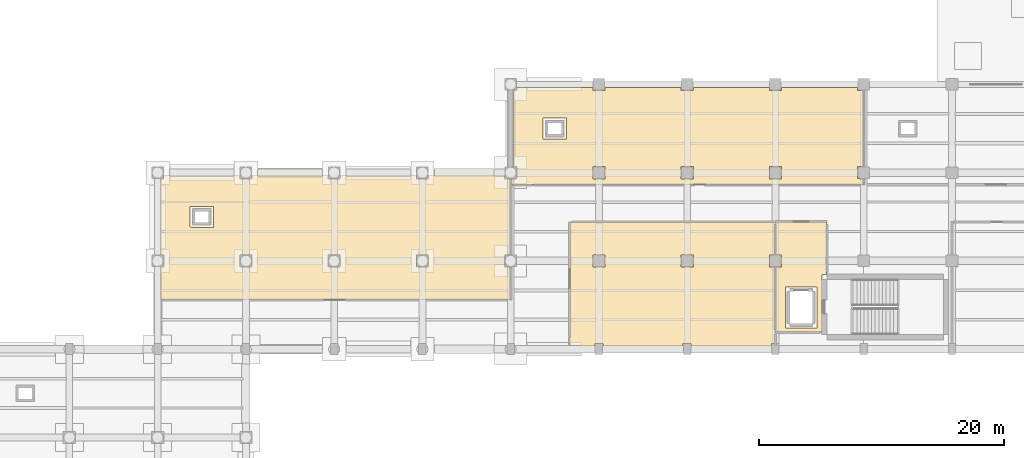
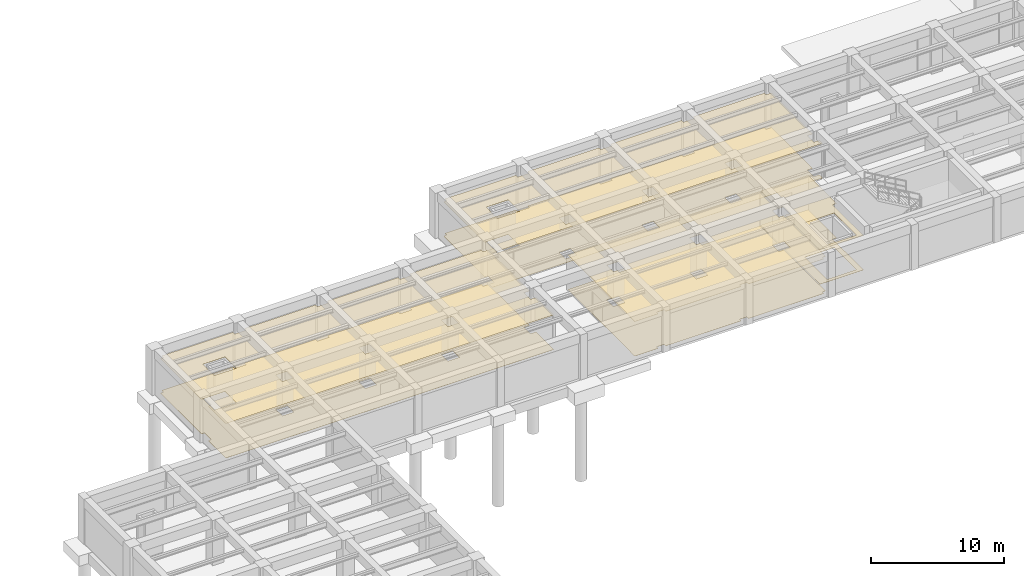
# One storey, part 29 of 34: 8 coverings.
"""IFC4 building model written with IfcOpenShell, lengths in metres."""

from ifc_helpers import new_model, si_unit, direction, frame, origin, place, context, subcontext, project, spatial, polyline, outline, extrude, material, layer, layer_set, type_object, element, save


model = new_model("IFC4")

# Units and contexts
model_context = context("Model", 3, precision=1e-05, world=origin(), true_north=direction((0.0, 1.0)))
body_context = subcontext(model_context, "Body", "Model", "MODEL_VIEW")
ifc_project = project(units=[si_unit("LENGTHUNIT", "METRE"), si_unit("AREAUNIT", "SQUARE_METRE"), si_unit("VOLUMEUNIT", "CUBIC_METRE"), si_unit("PLANEANGLEUNIT", "RADIAN"), si_unit("MASSUNIT", "GRAM", prefix="KILO")], contexts=[model_context])

# Site, building, storey
site_placement = place(None, origin())
site = spatial("IfcSite", under=ifc_project, at=site_placement, CompositionType="ELEMENT")
building_placement = place(site_placement, origin())
building = spatial("IfcBuilding", under=site, at=building_placement, Name="Solenvale Faculty of Natural Sciences", CompositionType="ELEMENT")
storey_placement = place(building_placement, frame((0.0, 0.0, -4.5)))
storey = spatial("IfcBuildingStorey", under=building, at=storey_placement, Name="B01", CompositionType="ELEMENT", Elevation=-4.5)

# Coverings
ifc_material_1 = material(Name="Acoustic mineral-timber ceiling", Category="wood")
ifc_layer_1 = layer(ifc_material_1, 0.02490234375)
ifc_layer_set_1 = layer_set([ifc_layer_1], Name="Acoustic mineral-timber ceiling")
covering_type_1 = type_object("IfcCoveringType", Name="COV-CEIL-AC25", PredefinedType="CEILING", material=ifc_layer_set_1)
covering_1_placement = place(storey_placement, frame((0.0, 0.0, 3.1650390625)))
element("IfcCovering", 1, at=covering_1_placement, inside=storey, type_object=covering_type_1, Name="B01 Firefighting Lobby C4 Acoustic Ceiling", PredefinedType="CEILING", context=body_context, shape_type="SweptSolid", body=[
    extrude(outline(polyline([(104.97998046875, 99.7099609375), (104.9560546875, 99.680908203125), (104.64794921875, 99.679931640625), (104.6201171875, 99.652099609375), (104.613037109375, 95.031005859375), (104.590087890625, 95.02001953125), (100.8310546875, 95.027099609375), (100.820068359375, 95.050048828125), (100.820068359375, 100.27294921875), (100.846923828125, 100.300048828125), (101.299072265625, 100.305908203125), (101.300048828125, 101.2890625), (101.2890625, 101.300048828125), (100.846923828125, 101.300048828125), (100.821044921875, 101.323974609375), (100.820068359375, 103.949951171875), (100.8291015625, 103.970947265625), (100.85009765625, 103.97998046875), (104.949951171875, 103.97998046875), (104.970947265625, 103.970947265625), (104.97998046875, 103.949951171875), (104.97998046875, 99.7099609375)]), holes=[polyline([(104.179931640625, 98.652099609375), (104.169921875, 98.672119140625), (104.14990234375, 98.679931640625), (101.64990234375, 98.679931640625), (101.6259765625, 98.66796875), (101.6201171875, 95.35009765625), (101.632080078125, 95.325927734375), (104.14990234375, 95.320068359375), (104.174072265625, 95.33203125), (104.179931640625, 98.652099609375)])]), origin(), (0.0, 0.0, 1.0), 0.02490234375),
])
covering_2_placement = place(storey_placement, frame((0.0, 0.0, 3.1650390625)))
element("IfcCovering", 2, at=covering_2_placement, inside=storey, type_object=covering_type_1, Name="B01 Bicycle Storage Hub Acoustic Ceiling", PredefinedType="CEILING", context=body_context, shape_type="SweptSolid", body=[
    extrude(outline(polyline([(57.070068359375, 107.760009765625), (57.09912109375, 107.736083984375), (57.10009765625, 107.510986328125), (57.111083984375, 107.5), (58.093017578125, 107.5), (58.10009765625, 107.73291015625), (58.1298828125, 107.760009765625), (64.27001953125, 107.760009765625), (64.299072265625, 107.736083984375), (64.300048828125, 107.510986328125), (64.31103515625, 107.5), (65.29296875, 107.5), (65.300048828125, 107.73291015625), (65.330078125, 107.760009765625), (71.469970703125, 107.760009765625), (71.4990234375, 107.736083984375), (71.5, 107.510986328125), (71.510986328125, 107.5), (72.492919921875, 107.5), (72.5, 107.73291015625), (72.530029296875, 107.760009765625), (78.680908203125, 107.758056640625), (78.699951171875, 107.73291015625), (78.705078125, 107.5009765625), (79.153076171875, 107.5), (79.179931640625, 107.472900390625), (79.179931640625, 101.326904296875), (79.153076171875, 101.300048828125), (78.7109375, 101.300048828125), (78.699951171875, 101.2890625), (78.700927734375, 100.305908203125), (79.153076171875, 100.300048828125), (79.179931640625, 100.27294921875), (79.177978515625, 97.658935546875), (79.14990234375, 97.639892578125), (50.653076171875, 97.64501953125), (50.639892578125, 97.669921875), (50.639892578125, 100.27294921875), (50.6669921875, 100.300048828125), (50.89990234375, 100.306884765625), (50.89990234375, 101.2890625), (50.888916015625, 101.300048828125), (50.6640625, 101.301025390625), (50.639892578125, 101.330078125), (50.64501953125, 107.487060546875), (50.6669921875, 107.5), (50.89697265625, 107.5029296875), (50.89990234375, 107.73291015625), (50.929931640625, 107.760009765625), (57.070068359375, 107.760009765625)]), holes=[polyline([(72.5, 101.2890625), (72.489013671875, 101.300048828125), (71.5029296875, 101.297119140625), (71.5029296875, 100.302978515625), (72.4970703125, 100.302978515625), (72.5, 101.2890625)]), polyline([(64.31103515625, 101.300048828125), (64.300048828125, 101.2890625), (64.302978515625, 100.302978515625), (65.297119140625, 100.302978515625), (65.297119140625, 101.297119140625), (64.31103515625, 101.300048828125)]), polyline([(58.10009765625, 101.2890625), (58.089111328125, 101.300048828125), (57.10302734375, 101.297119140625), (57.10302734375, 100.302978515625), (58.096923828125, 100.302978515625), (58.10009765625, 101.2890625)]), polyline([(54.931884765625, 103.5400390625), (54.951904296875, 103.550048828125), (54.9599609375, 103.570068359375), (54.9599609375, 105.22998046875), (54.949951171875, 105.251953125), (53.070068359375, 105.260009765625), (53.048095703125, 105.25), (53.0400390625, 103.570068359375), (53.050048828125, 103.548095703125), (54.931884765625, 103.5400390625)])]), origin(), (0.0, 0.0, 1.0), 0.02490234375),
])
covering_3_placement = place(storey_placement, frame((0.0, 0.0, 3.1650390625)))
element("IfcCovering", 3, at=covering_3_placement, inside=storey, type_object=covering_type_1, Name="B01 Shower and Locker Room Acoustic Ceiling", PredefinedType="CEILING", context=body_context, shape_type="SweptSolid", body=[
    extrude(outline(polyline([(79.43994140625, 114.669921875), (79.467041015625, 114.699951171875), (79.697021484375, 114.702880859375), (79.699951171875, 114.93310546875), (79.72998046875, 114.9599609375), (85.8701171875, 114.9599609375), (85.89892578125, 114.93603515625), (85.89990234375, 114.7109375), (85.910888671875, 114.699951171875), (86.89306640625, 114.699951171875), (86.89990234375, 114.93310546875), (86.929931640625, 114.9599609375), (93.070068359375, 114.9599609375), (93.09912109375, 114.93603515625), (93.10009765625, 114.7109375), (93.111083984375, 114.699951171875), (94.093017578125, 114.699951171875), (94.10009765625, 114.93310546875), (94.1298828125, 114.9599609375), (100.27001953125, 114.9599609375), (100.299072265625, 114.93603515625), (100.300048828125, 114.7109375), (100.31103515625, 114.699951171875), (101.29296875, 114.699951171875), (101.300048828125, 114.93310546875), (101.330078125, 114.9599609375), (107.47900390625, 114.958984375), (107.5, 114.93310546875), (107.5048828125, 114.700927734375), (107.952880859375, 114.699951171875), (107.97998046875, 114.673095703125), (107.97998046875, 108.527099609375), (107.952880859375, 108.5), (107.510986328125, 108.5), (107.5, 108.489013671875), (107.5, 107.507080078125), (107.949951171875, 107.5), (107.970947265625, 107.490966796875), (107.97998046875, 107.469970703125), (107.97900390625, 107.06103515625), (107.949951171875, 107.0400390625), (81.0, 107.0400390625), (80.950927734375, 107.02001953125), (79.260986328125, 107.02099609375), (79.239990234375, 107.050048828125), (79.2470703125, 107.489013671875), (79.27001953125, 107.5), (79.68896484375, 107.5), (79.699951171875, 107.510986328125), (79.699951171875, 108.492919921875), (79.467041015625, 108.5), (79.43994140625, 108.530029296875), (79.43994140625, 114.669921875)]), holes=[polyline([(101.300048828125, 108.489013671875), (101.2890625, 108.5), (100.302978515625, 108.4970703125), (100.302978515625, 107.5029296875), (101.297119140625, 107.5029296875), (101.300048828125, 108.489013671875)]), polyline([(94.10009765625, 108.489013671875), (94.089111328125, 108.5), (93.10302734375, 108.4970703125), (93.10302734375, 107.5029296875), (94.096923828125, 107.5029296875), (94.10009765625, 108.489013671875)]), polyline([(86.89990234375, 108.489013671875), (86.888916015625, 108.5), (85.903076171875, 108.4970703125), (85.903076171875, 107.5029296875), (86.89697265625, 107.5029296875), (86.89990234375, 108.489013671875)]), polyline([(83.73193359375, 110.739990234375), (83.751953125, 110.75), (83.760009765625, 110.77001953125), (83.760009765625, 112.429931640625), (83.75, 112.451904296875), (81.8701171875, 112.4599609375), (81.847900390625, 112.449951171875), (81.840087890625, 110.77001953125), (81.85009765625, 110.748046875), (83.73193359375, 110.739990234375)])]), origin(), (0.0, 0.0, 1.0), 0.02490234375),
])
covering_4_placement = place(storey_placement, frame((0.0, 0.0, 3.1650390625)))
element("IfcCovering", 4, at=covering_4_placement, inside=storey, type_object=covering_type_1, Name="B01 Laboratory Glassware Wash and Autoclave Store Acoustic Ceiling", PredefinedType="CEILING", context=body_context, shape_type="SweptSolid", body=[
    extrude(outline(polyline([(84.02001953125, 94.551025390625), (84.0400390625, 94.60009765625), (84.0400390625, 103.929931640625), (84.055908203125, 103.9560546875), (100.72998046875, 103.9599609375), (100.756103515625, 103.944091796875), (100.759033203125, 101.323974609375), (100.73291015625, 101.300048828125), (100.31103515625, 101.300048828125), (100.300048828125, 101.2890625), (100.301025390625, 100.305908203125), (100.73291015625, 100.300048828125), (100.760009765625, 100.27001953125), (100.760009765625, 95.0), (100.780029296875, 94.950927734375), (100.780029296875, 94.10498046875), (100.7529296875, 94.074951171875), (100.47900390625, 94.072998046875), (100.47509765625, 93.866943359375), (100.458984375, 93.843994140625), (93.955078125, 93.840087890625), (93.926025390625, 93.864013671875), (93.91796875, 94.074951171875), (93.285888671875, 94.074951171875), (93.27490234375, 94.06591796875), (93.27392578125, 93.864013671875), (93.2451171875, 93.840087890625), (86.7548828125, 93.840087890625), (86.72607421875, 93.864013671875), (86.718017578125, 94.074951171875), (86.0859375, 94.074951171875), (86.074951171875, 94.06591796875), (86.073974609375, 93.864013671875), (86.048095703125, 93.840087890625), (84.050048828125, 93.840087890625), (84.029052734375, 93.84912109375), (84.02001953125, 93.8701171875), (84.02001953125, 94.551025390625)]), holes=[polyline([(94.10009765625, 101.2890625), (94.089111328125, 101.300048828125), (93.10302734375, 101.297119140625), (93.10302734375, 100.302978515625), (94.096923828125, 100.302978515625), (94.10009765625, 101.2890625)]), polyline([(86.89990234375, 101.2890625), (86.888916015625, 101.300048828125), (85.903076171875, 101.297119140625), (85.903076171875, 100.302978515625), (86.89697265625, 100.302978515625), (86.89990234375, 101.2890625)])]), origin(), (0.0, 0.0, 1.0), 0.02490234375),
])
ifc_material_2 = material(Name="Polished slate terrazzo flooring", Category="masonry")
ifc_layer_2 = layer(ifc_material_2, 0.01806640625)
ifc_layer_set_2 = layer_set([ifc_layer_2], Name="Polished slate terrazzo flooring")
covering_type_2 = type_object("IfcCoveringType", Name="COV-FLR-TRZ18", PredefinedType="FLOORING", material=ifc_layer_set_2)
covering_5_placement = place(storey_placement, origin())
element("IfcCovering", 5, at=covering_5_placement, inside=storey, type_object=covering_type_2, Name="B01 Firefighting Lobby C4 Floor Finish", PredefinedType="FLOORING", context=body_context, shape_type="SweptSolid", body=[
    extrude(outline(polyline([(104.97998046875, 99.7099609375), (104.9560546875, 99.680908203125), (104.64794921875, 99.679931640625), (104.6201171875, 99.652099609375), (104.613037109375, 95.031005859375), (104.590087890625, 95.02001953125), (100.8310546875, 95.027099609375), (100.820068359375, 95.050048828125), (100.820068359375, 100.27294921875), (100.846923828125, 100.300048828125), (101.299072265625, 100.305908203125), (101.300048828125, 101.2890625), (101.2890625, 101.300048828125), (100.846923828125, 101.300048828125), (100.821044921875, 101.323974609375), (100.820068359375, 103.949951171875), (100.8291015625, 103.970947265625), (100.85009765625, 103.97998046875), (104.949951171875, 103.97998046875), (104.970947265625, 103.970947265625), (104.97998046875, 103.949951171875), (104.97998046875, 99.7099609375)]), holes=[polyline([(104.179931640625, 98.652099609375), (104.169921875, 98.672119140625), (104.14990234375, 98.679931640625), (101.64990234375, 98.679931640625), (101.6259765625, 98.66796875), (101.6201171875, 95.35009765625), (101.632080078125, 95.325927734375), (104.14990234375, 95.320068359375), (104.174072265625, 95.33203125), (104.179931640625, 98.652099609375)])]), origin(), (0.0, 0.0, 1.0), 0.01806640625),
])
covering_6_placement = place(storey_placement, origin())
element("IfcCovering", 6, at=covering_6_placement, inside=storey, type_object=covering_type_2, Name="B01 Bicycle Storage Hub Floor Finish", PredefinedType="FLOORING", context=body_context, shape_type="SweptSolid", body=[
    extrude(outline(polyline([(57.070068359375, 107.760009765625), (57.09912109375, 107.736083984375), (57.10009765625, 107.510986328125), (57.111083984375, 107.5), (58.093017578125, 107.5), (58.10009765625, 107.73291015625), (58.1298828125, 107.760009765625), (64.27001953125, 107.760009765625), (64.299072265625, 107.736083984375), (64.300048828125, 107.510986328125), (64.31103515625, 107.5), (65.29296875, 107.5), (65.300048828125, 107.73291015625), (65.330078125, 107.760009765625), (71.469970703125, 107.760009765625), (71.4990234375, 107.736083984375), (71.5, 107.510986328125), (71.510986328125, 107.5), (72.492919921875, 107.5), (72.5, 107.73291015625), (72.530029296875, 107.760009765625), (78.680908203125, 107.758056640625), (78.699951171875, 107.73291015625), (78.705078125, 107.5009765625), (79.153076171875, 107.5), (79.179931640625, 107.472900390625), (79.179931640625, 101.326904296875), (79.153076171875, 101.300048828125), (78.7109375, 101.300048828125), (78.699951171875, 101.2890625), (78.700927734375, 100.305908203125), (79.153076171875, 100.300048828125), (79.179931640625, 100.27294921875), (79.177978515625, 97.658935546875), (79.14990234375, 97.639892578125), (50.653076171875, 97.64501953125), (50.639892578125, 97.669921875), (50.639892578125, 100.27294921875), (50.6669921875, 100.300048828125), (50.89990234375, 100.306884765625), (50.89990234375, 101.2890625), (50.888916015625, 101.300048828125), (50.6640625, 101.301025390625), (50.639892578125, 101.330078125), (50.64501953125, 107.487060546875), (50.6669921875, 107.5), (50.89697265625, 107.5029296875), (50.89990234375, 107.73291015625), (50.929931640625, 107.760009765625), (57.070068359375, 107.760009765625)]), holes=[polyline([(72.5, 101.2890625), (72.489013671875, 101.300048828125), (71.5029296875, 101.297119140625), (71.5029296875, 100.302978515625), (72.4970703125, 100.302978515625), (72.5, 101.2890625)]), polyline([(64.31103515625, 101.300048828125), (64.300048828125, 101.2890625), (64.302978515625, 100.302978515625), (65.297119140625, 100.302978515625), (65.297119140625, 101.297119140625), (64.31103515625, 101.300048828125)]), polyline([(58.10009765625, 101.2890625), (58.089111328125, 101.300048828125), (57.10302734375, 101.297119140625), (57.10302734375, 100.302978515625), (58.096923828125, 100.302978515625), (58.10009765625, 101.2890625)]), polyline([(54.931884765625, 103.5400390625), (54.951904296875, 103.550048828125), (54.9599609375, 103.570068359375), (54.9599609375, 105.22998046875), (54.949951171875, 105.251953125), (53.070068359375, 105.260009765625), (53.048095703125, 105.25), (53.0400390625, 103.570068359375), (53.050048828125, 103.548095703125), (54.931884765625, 103.5400390625)])]), origin(), (0.0, 0.0, 1.0), 0.01806640625),
])
covering_7_placement = place(storey_placement, origin())
element("IfcCovering", 7, at=covering_7_placement, inside=storey, type_object=covering_type_2, Name="B01 Shower and Locker Room Floor Finish", PredefinedType="FLOORING", context=body_context, shape_type="SweptSolid", body=[
    extrude(outline(polyline([(79.43994140625, 114.669921875), (79.467041015625, 114.699951171875), (79.697021484375, 114.702880859375), (79.699951171875, 114.93310546875), (79.72998046875, 114.9599609375), (85.8701171875, 114.9599609375), (85.89892578125, 114.93603515625), (85.89990234375, 114.7109375), (85.910888671875, 114.699951171875), (86.89306640625, 114.699951171875), (86.89990234375, 114.93310546875), (86.929931640625, 114.9599609375), (93.070068359375, 114.9599609375), (93.09912109375, 114.93603515625), (93.10009765625, 114.7109375), (93.111083984375, 114.699951171875), (94.093017578125, 114.699951171875), (94.10009765625, 114.93310546875), (94.1298828125, 114.9599609375), (100.27001953125, 114.9599609375), (100.299072265625, 114.93603515625), (100.300048828125, 114.7109375), (100.31103515625, 114.699951171875), (101.29296875, 114.699951171875), (101.300048828125, 114.93310546875), (101.330078125, 114.9599609375), (107.47900390625, 114.958984375), (107.5, 114.93310546875), (107.5048828125, 114.700927734375), (107.952880859375, 114.699951171875), (107.97998046875, 114.673095703125), (107.97998046875, 108.527099609375), (107.952880859375, 108.5), (107.510986328125, 108.5), (107.5, 108.489013671875), (107.5, 107.507080078125), (107.949951171875, 107.5), (107.970947265625, 107.490966796875), (107.97998046875, 107.469970703125), (107.97900390625, 107.06103515625), (107.949951171875, 107.0400390625), (81.0, 107.0400390625), (80.950927734375, 107.02001953125), (79.260986328125, 107.02099609375), (79.239990234375, 107.050048828125), (79.2470703125, 107.489013671875), (79.27001953125, 107.5), (79.68896484375, 107.5), (79.699951171875, 107.510986328125), (79.699951171875, 108.492919921875), (79.467041015625, 108.5), (79.43994140625, 108.530029296875), (79.43994140625, 114.669921875)]), holes=[polyline([(101.300048828125, 108.489013671875), (101.2890625, 108.5), (100.302978515625, 108.4970703125), (100.302978515625, 107.5029296875), (101.297119140625, 107.5029296875), (101.300048828125, 108.489013671875)]), polyline([(94.10009765625, 108.489013671875), (94.089111328125, 108.5), (93.10302734375, 108.4970703125), (93.10302734375, 107.5029296875), (94.096923828125, 107.5029296875), (94.10009765625, 108.489013671875)]), polyline([(86.89990234375, 108.489013671875), (86.888916015625, 108.5), (85.903076171875, 108.4970703125), (85.903076171875, 107.5029296875), (86.89697265625, 107.5029296875), (86.89990234375, 108.489013671875)]), polyline([(83.73193359375, 110.739990234375), (83.751953125, 110.75), (83.760009765625, 110.77001953125), (83.760009765625, 112.429931640625), (83.75, 112.451904296875), (81.8701171875, 112.4599609375), (81.847900390625, 112.449951171875), (81.840087890625, 110.77001953125), (81.85009765625, 110.748046875), (83.73193359375, 110.739990234375)])]), origin(), (0.0, 0.0, 1.0), 0.01806640625),
])
ifc_material_3 = material(Name="Seamless laboratory vinyl flooring")
ifc_layer_3 = layer(ifc_material_3, 0.008056640625)
ifc_layer_set_3 = layer_set([ifc_layer_3], Name="Seamless laboratory vinyl flooring")
covering_type_3 = type_object("IfcCoveringType", Name="COV-FLR-VNL08", PredefinedType="FLOORING", material=ifc_layer_set_3)
covering_8_placement = place(storey_placement, origin())
element("IfcCovering", 8, at=covering_8_placement, inside=storey, type_object=covering_type_3, Name="B01 Laboratory Glassware Wash and Autoclave Store Floor Finish", PredefinedType="FLOORING", context=body_context, shape_type="SweptSolid", body=[
    extrude(outline(polyline([(84.02001953125, 94.551025390625), (84.0400390625, 94.60009765625), (84.0400390625, 103.929931640625), (84.055908203125, 103.9560546875), (100.72998046875, 103.9599609375), (100.756103515625, 103.944091796875), (100.759033203125, 101.323974609375), (100.73291015625, 101.300048828125), (100.31103515625, 101.300048828125), (100.300048828125, 101.2890625), (100.301025390625, 100.305908203125), (100.73291015625, 100.300048828125), (100.760009765625, 100.27001953125), (100.760009765625, 95.0), (100.780029296875, 94.950927734375), (100.780029296875, 94.10498046875), (100.7529296875, 94.074951171875), (100.47900390625, 94.072998046875), (100.47509765625, 93.866943359375), (100.458984375, 93.843994140625), (93.955078125, 93.840087890625), (93.926025390625, 93.864013671875), (93.91796875, 94.074951171875), (93.285888671875, 94.074951171875), (93.27490234375, 94.06591796875), (93.27392578125, 93.864013671875), (93.2451171875, 93.840087890625), (86.7548828125, 93.840087890625), (86.72607421875, 93.864013671875), (86.718017578125, 94.074951171875), (86.0859375, 94.074951171875), (86.074951171875, 94.06591796875), (86.073974609375, 93.864013671875), (86.048095703125, 93.840087890625), (84.050048828125, 93.840087890625), (84.029052734375, 93.84912109375), (84.02001953125, 93.8701171875), (84.02001953125, 94.551025390625)]), holes=[polyline([(94.10009765625, 101.2890625), (94.089111328125, 101.300048828125), (93.10302734375, 101.297119140625), (93.10302734375, 100.302978515625), (94.096923828125, 100.302978515625), (94.10009765625, 101.2890625)]), polyline([(86.89990234375, 101.2890625), (86.888916015625, 101.300048828125), (85.903076171875, 101.297119140625), (85.903076171875, 100.302978515625), (86.89697265625, 100.302978515625), (86.89990234375, 101.2890625)])]), origin(), (0.0, 0.0, 1.0), 0.008056640625),
])

save(model, "model.ifc")
